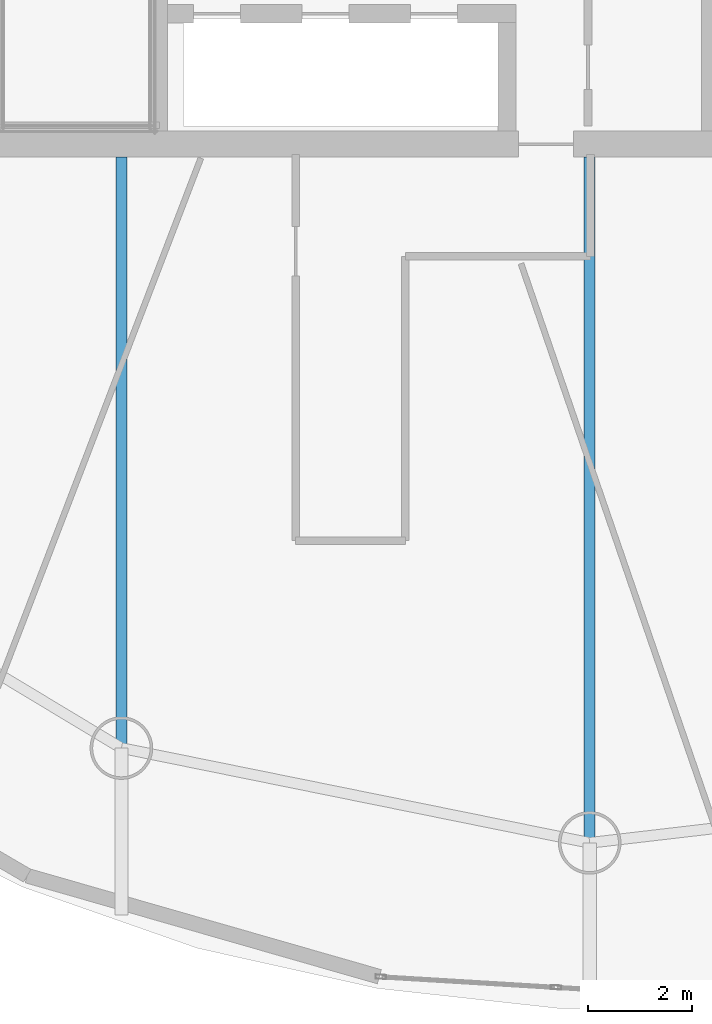
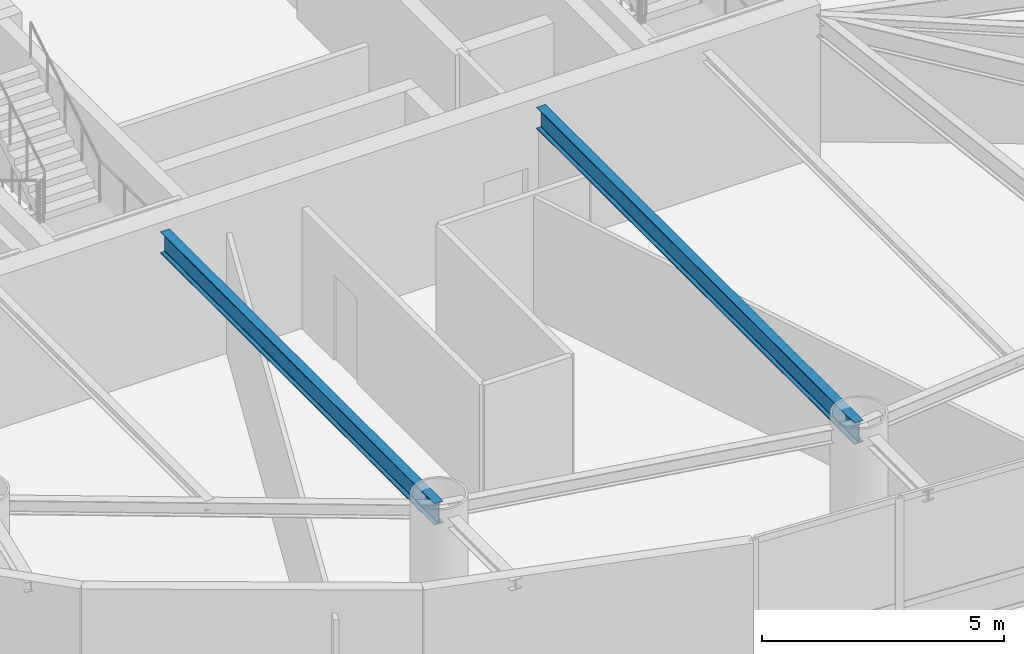
# One storey, part 3 of 18: 2 beams.
"""IFC4 building model written with IfcOpenShell, lengths in metres."""

from ifc_helpers import new_model, si_unit, direction, frame, origin, origin_2d, place, context, subcontext, project, spatial, i_section, extrude, material, material_profile, profile_set, type_object, element, save


model = new_model("IFC4")

# Units and contexts
model_context = context("Model", 3, precision=1e-05, world=origin(), true_north=direction((0.0, 1.0)))
body_context = subcontext(model_context, "Body", "Model", "MODEL_VIEW")
ifc_project = project(units=[si_unit("LENGTHUNIT", "METRE"), si_unit("AREAUNIT", "SQUARE_METRE"), si_unit("VOLUMEUNIT", "CUBIC_METRE"), si_unit("PLANEANGLEUNIT", "RADIAN"), si_unit("MASSUNIT", "GRAM", prefix="KILO")], contexts=[model_context])

# Site, building, storey
site_placement = place(None, origin())
site = spatial("IfcSite", under=ifc_project, at=site_placement, CompositionType="ELEMENT")
building_placement = place(site_placement, origin())
building = spatial("IfcBuilding", under=site, at=building_placement, Name="Bramvorn Convention Spire", CompositionType="ELEMENT")
storey_placement = place(building_placement, frame((0.0, 0.0, 182.75)))
storey = spatial("IfcBuildingStorey", under=building, at=storey_placement, Name="L46", CompositionType="ELEMENT", Elevation=182.75)

# Beams
ifc_material = material(Name="Steel CSA G40.21 Grade 350 (350W)", Category="steel")
ifc_material_profile = material_profile(ifc_material, i_section(OverallWidth=0.2119140625, OverallDepth=0.5439453125, WebThickness=0.01318359375, FlangeThickness=0.021240234375, FilletRadius=0.01904296875, at=origin_2d()))
ifc_profile_set = profile_set([ifc_material_profile], Name="Steel CSA G40.21 Grade 350 (350W) - W530X123")
beam_type = type_object("IfcBeamType", Name="BM-W530X123", PredefinedType="BEAM", material=ifc_profile_set)
beam_1_placement = place(storey_placement, frame((33.61083984375, 18.550048828125, 3.347900390625), z_axis=(0.0, -1.0, 0.0), x_axis=(1.0, 0.0, 0.0)))
element("IfcBeam", 1, at=beam_1_placement, inside=storey, type_object=beam_type, Name="L46 radial floor girder MC14", PredefinedType="BEAM", context=body_context, shape_type="SweptSolid", body=[
    extrude(i_section(OverallWidth=0.2119140625, OverallDepth=0.5439453125, WebThickness=0.01318359375, FlangeThickness=0.021240234375, FilletRadius=0.01904296875, at=origin_2d()), origin(), (0.0, 0.0, 1.0), 11.322265625),
])
beam_2_placement = place(storey_placement, frame((42.583740234375, 18.550048828125, 3.347900390625), z_axis=(0.0, -1.0, 0.0), x_axis=(1.0, 0.0, 0.0)))
element("IfcBeam", 2, at=beam_2_placement, inside=storey, type_object=beam_type, Name="L46 radial floor girder MC15", PredefinedType="BEAM", context=body_context, shape_type="SweptSolid", body=[
    extrude(i_section(OverallWidth=0.2119140625, OverallDepth=0.5439453125, WebThickness=0.01318359375, FlangeThickness=0.021240234375, FilletRadius=0.01904296875, at=origin_2d()), origin(), (0.0, 0.0, 1.0), 13.138427734375),
])

save(model, "model.ifc")
